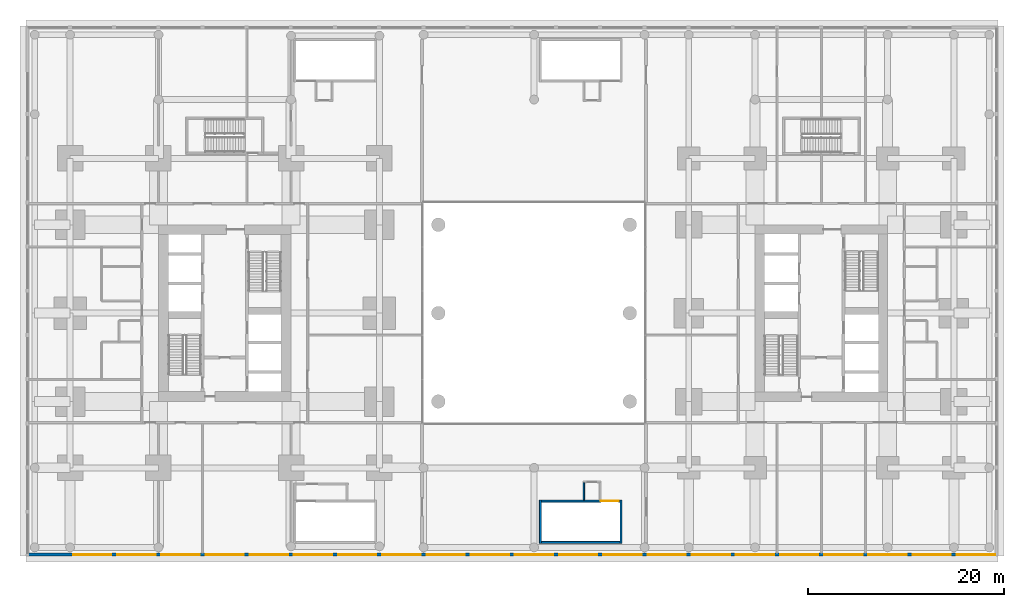
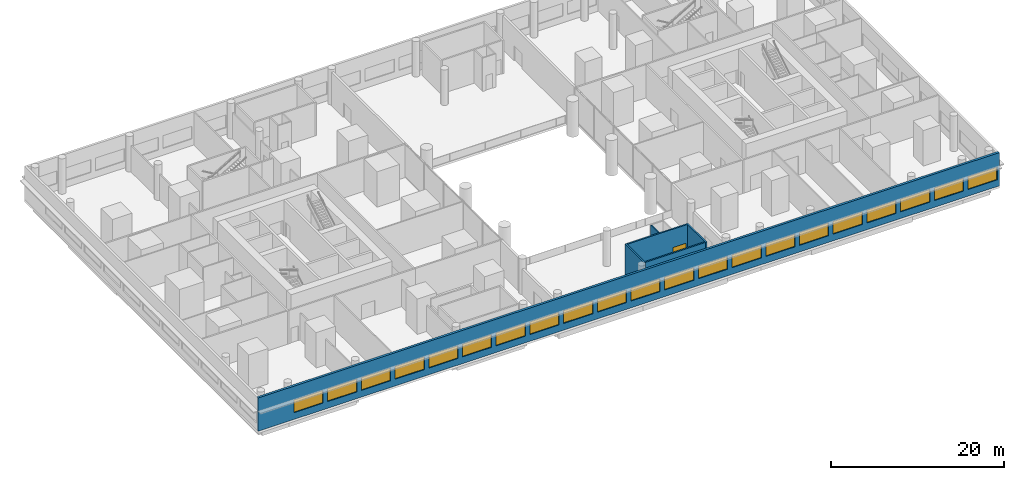
# One storey, part 11 of 20: 21 windows, 6 walls, 1 door, 22 openings.
"""IFC4 building model written with IfcOpenShell, lengths in metres."""

from ifc_helpers import new_model, si_unit, direction, frame, frame_2d, origin, place, context, subcontext, project, spatial, rectangle, extrude, material, layer, layer_set, type_object, element, fill, save


model = new_model("IFC4")

# Units and contexts
model_context = context("Model", 3, precision=1e-05, world=origin(), true_north=direction((0.0, 1.0)))
body_context = subcontext(model_context, "Body", "Model", "MODEL_VIEW")
ifc_project = project(units=[si_unit("LENGTHUNIT", "METRE"), si_unit("AREAUNIT", "SQUARE_METRE"), si_unit("VOLUMEUNIT", "CUBIC_METRE"), si_unit("PLANEANGLEUNIT", "RADIAN"), si_unit("MASSUNIT", "GRAM", prefix="KILO")], contexts=[model_context])

# Site, building, storey
site_placement = place(None, origin())
site = spatial("IfcSite", under=ifc_project, at=site_placement, CompositionType="ELEMENT")
building_placement = place(site_placement, origin())
building = spatial("IfcBuilding", under=site, at=building_placement, Name="Namib Vertical Campus", CompositionType="ELEMENT")
storey_placement = place(building_placement, frame((0.0, 0.0, 16.0)))
storey = spatial("IfcBuildingStorey", under=building, at=storey_placement, Name="L03", CompositionType="ELEMENT", Elevation=16.0)

# Wall, openings, windows
ifc_material_1 = material(Name="Concrete C40/50", Category="concrete")
ifc_layer_1 = layer(ifc_material_1, 0.300048828125)
ifc_layer_set_1 = layer_set([ifc_layer_1], Name="Concrete C40/50")
wall_type_1 = type_object("IfcWallType", Name="External wall 300 board-marked concrete", PredefinedType="STANDARD", material=ifc_layer_set_1)
wall_1_placement = place(storey_placement, frame((0.02001953125, -4.35009765625, 0.0), z_axis=(0.0, 0.0, 1.0), x_axis=(1.0, 0.0, 0.0)))
wall_1 = element("IfcWall", 1, at=wall_1_placement, inside=storey, type_object=wall_type_1, Name="External wall L03 F1", PredefinedType="STANDARD", context=body_context, shape_type="SweptSolid", body=[
    extrude(rectangle(XDim=98.9599609375, YDim=0.300048828125, at=frame_2d((49.47998046875, 0.0))), origin(), (0.0, 0.0, 1.0), 4.699951171875),
])
opening_1_placement = place(wall_1_placement, frame((4.780029296875, 0.0, 0.949951171875)))
opening_1 = element("IfcOpeningElement", 2, at=opening_1_placement, cuts=wall_1, Name="Opening W3", PredefinedType="OPENING", context=body_context, shape_type="SweptSolid", body=[
    extrude(rectangle(XDim=3.89990234375, YDim=1.800048828125, at=frame_2d((1.949951171875, 0.89990234375))), frame((0.0, 0.159912109375, 0.0), z_axis=(0.0, -1.0, 0.0), x_axis=(1.0, 0.0, 0.0)), (0.0, 0.0, 1.0), 0.320068359375),
])
opening_2_placement = place(wall_1_placement, frame((9.280029296875, 0.0, 0.949951171875)))
opening_2 = element("IfcOpeningElement", 3, at=opening_2_placement, cuts=wall_1, Name="Opening W3", PredefinedType="OPENING", context=body_context, shape_type="SweptSolid", body=[
    extrude(rectangle(XDim=3.89990234375, YDim=1.800048828125, at=frame_2d((1.949951171875, 0.89990234375))), frame((0.0, 0.159912109375, 0.0), z_axis=(0.0, -1.0, 0.0), x_axis=(1.0, 0.0, 0.0)), (0.0, 0.0, 1.0), 0.320068359375),
])
opening_3_placement = place(wall_1_placement, frame((13.780029296875, 0.0, 0.949951171875)))
opening_3 = element("IfcOpeningElement", 4, at=opening_3_placement, cuts=wall_1, Name="Opening W3", PredefinedType="OPENING", context=body_context, shape_type="SweptSolid", body=[
    extrude(rectangle(XDim=3.89990234375, YDim=1.800048828125, at=frame_2d((1.949951171875, 0.89990234375))), frame((0.0, 0.159912109375, 0.0), z_axis=(0.0, -1.0, 0.0), x_axis=(1.0, 0.0, 0.0)), (0.0, 0.0, 1.0), 0.320068359375),
])
opening_4_placement = place(wall_1_placement, frame((18.280029296875, 0.0, 0.949951171875)))
opening_4 = element("IfcOpeningElement", 5, at=opening_4_placement, cuts=wall_1, Name="Opening W3", PredefinedType="OPENING", context=body_context, shape_type="SweptSolid", body=[
    extrude(rectangle(XDim=3.89990234375, YDim=1.800048828125, at=frame_2d((1.949951171875, 0.89990234375))), frame((0.0, 0.159912109375, 0.0), z_axis=(0.0, -1.0, 0.0), x_axis=(1.0, 0.0, 0.0)), (0.0, 0.0, 1.0), 0.320068359375),
])
opening_5_placement = place(wall_1_placement, frame((22.780029296875, 0.0, 0.949951171875)))
opening_5 = element("IfcOpeningElement", 6, at=opening_5_placement, cuts=wall_1, Name="Opening W3", PredefinedType="OPENING", context=body_context, shape_type="SweptSolid", body=[
    extrude(rectangle(XDim=3.89990234375, YDim=1.800048828125, at=frame_2d((1.949951171875, 0.89990234375))), frame((0.0, 0.159912109375, 0.0), z_axis=(0.0, -1.0, 0.0), x_axis=(1.0, 0.0, 0.0)), (0.0, 0.0, 1.0), 0.320068359375),
])
opening_6_placement = place(wall_1_placement, frame((27.280029296875, 0.0, 0.949951171875)))
opening_6 = element("IfcOpeningElement", 7, at=opening_6_placement, cuts=wall_1, Name="Opening W3", PredefinedType="OPENING", context=body_context, shape_type="SweptSolid", body=[
    extrude(rectangle(XDim=3.89990234375, YDim=1.800048828125, at=frame_2d((1.949951171875, 0.89990234375))), frame((0.0, 0.159912109375, 0.0), z_axis=(0.0, -1.0, 0.0), x_axis=(1.0, 0.0, 0.0)), (0.0, 0.0, 1.0), 0.320068359375),
])
opening_7_placement = place(wall_1_placement, frame((31.780029296875, 0.0, 0.949951171875)))
opening_7 = element("IfcOpeningElement", 8, at=opening_7_placement, cuts=wall_1, Name="Opening W3", PredefinedType="OPENING", context=body_context, shape_type="SweptSolid", body=[
    extrude(rectangle(XDim=3.89990234375, YDim=1.800048828125, at=frame_2d((1.949951171875, 0.89990234375))), frame((0.0, 0.159912109375, 0.0), z_axis=(0.0, -1.0, 0.0), x_axis=(1.0, 0.0, 0.0)), (0.0, 0.0, 1.0), 0.320068359375),
])
opening_8_placement = place(wall_1_placement, frame((36.280029296875, 0.0, 0.949951171875)))
opening_8 = element("IfcOpeningElement", 9, at=opening_8_placement, cuts=wall_1, Name="Opening W3", PredefinedType="OPENING", context=body_context, shape_type="SweptSolid", body=[
    extrude(rectangle(XDim=3.89990234375, YDim=1.800048828125, at=frame_2d((1.949951171875, 0.89990234375))), frame((0.0, 0.159912109375, 0.0), z_axis=(0.0, -1.0, 0.0), x_axis=(1.0, 0.0, 0.0)), (0.0, 0.0, 1.0), 0.320068359375),
])
opening_9_placement = place(wall_1_placement, frame((40.780029296875, 0.0, 0.949951171875)))
opening_9 = element("IfcOpeningElement", 10, at=opening_9_placement, cuts=wall_1, Name="Opening W3", PredefinedType="OPENING", context=body_context, shape_type="SweptSolid", body=[
    extrude(rectangle(XDim=3.89990234375, YDim=1.800048828125, at=frame_2d((1.949951171875, 0.89990234375))), frame((0.0, 0.159912109375, 0.0), z_axis=(0.0, -1.0, 0.0), x_axis=(1.0, 0.0, 0.0)), (0.0, 0.0, 1.0), 0.320068359375),
])
opening_10_placement = place(wall_1_placement, frame((45.280029296875, 0.0, 0.949951171875)))
opening_10 = element("IfcOpeningElement", 11, at=opening_10_placement, cuts=wall_1, Name="Opening W3", PredefinedType="OPENING", context=body_context, shape_type="SweptSolid", body=[
    extrude(rectangle(XDim=3.89990234375, YDim=1.800048828125, at=frame_2d((1.949951171875, 0.89990234375))), frame((0.0, 0.159912109375, 0.0), z_axis=(0.0, -1.0, 0.0), x_axis=(1.0, 0.0, 0.0)), (0.0, 0.0, 1.0), 0.320068359375),
])
opening_11_placement = place(wall_1_placement, frame((49.780029296875, 0.0, 0.949951171875)))
opening_11 = element("IfcOpeningElement", 12, at=opening_11_placement, cuts=wall_1, Name="Opening W3", PredefinedType="OPENING", context=body_context, shape_type="SweptSolid", body=[
    extrude(rectangle(XDim=3.89990234375, YDim=1.800048828125, at=frame_2d((1.949951171875, 0.89990234375))), frame((0.0, 0.159912109375, 0.0), z_axis=(0.0, -1.0, 0.0), x_axis=(1.0, 0.0, 0.0)), (0.0, 0.0, 1.0), 0.320068359375),
])
opening_12_placement = place(wall_1_placement, frame((54.280029296875, 0.0, 0.949951171875)))
opening_12 = element("IfcOpeningElement", 13, at=opening_12_placement, cuts=wall_1, Name="Opening W3", PredefinedType="OPENING", context=body_context, shape_type="SweptSolid", body=[
    extrude(rectangle(XDim=3.89990234375, YDim=1.800048828125, at=frame_2d((1.949951171875, 0.89990234375))), frame((0.0, 0.159912109375, 0.0), z_axis=(0.0, -1.0, 0.0), x_axis=(1.0, 0.0, 0.0)), (0.0, 0.0, 1.0), 0.320068359375),
])
opening_13_placement = place(wall_1_placement, frame((58.780029296875, 0.0, 0.949951171875)))
opening_13 = element("IfcOpeningElement", 14, at=opening_13_placement, cuts=wall_1, Name="Opening W3", PredefinedType="OPENING", context=body_context, shape_type="SweptSolid", body=[
    extrude(rectangle(XDim=3.89990234375, YDim=1.800048828125, at=frame_2d((1.949951171875, 0.89990234375))), frame((0.0, 0.159912109375, 0.0), z_axis=(0.0, -1.0, 0.0), x_axis=(1.0, 0.0, 0.0)), (0.0, 0.0, 1.0), 0.320068359375),
])
opening_14_placement = place(wall_1_placement, frame((63.280029296875, 0.0, 0.949951171875)))
opening_14 = element("IfcOpeningElement", 15, at=opening_14_placement, cuts=wall_1, Name="Opening W3", PredefinedType="OPENING", context=body_context, shape_type="SweptSolid", body=[
    extrude(rectangle(XDim=3.89990234375, YDim=1.800048828125, at=frame_2d((1.949951171875, 0.89990234375))), frame((0.0, 0.159912109375, 0.0), z_axis=(0.0, -1.0, 0.0), x_axis=(1.0, 0.0, 0.0)), (0.0, 0.0, 1.0), 0.320068359375),
])
opening_15_placement = place(wall_1_placement, frame((67.780029296875, 0.0, 0.949951171875)))
opening_15 = element("IfcOpeningElement", 16, at=opening_15_placement, cuts=wall_1, Name="Opening W3", PredefinedType="OPENING", context=body_context, shape_type="SweptSolid", body=[
    extrude(rectangle(XDim=3.89990234375, YDim=1.800048828125, at=frame_2d((1.949951171875, 0.89990234375))), frame((0.0, 0.159912109375, 0.0), z_axis=(0.0, -1.0, 0.0), x_axis=(1.0, 0.0, 0.0)), (0.0, 0.0, 1.0), 0.320068359375),
])
opening_16_placement = place(wall_1_placement, frame((72.280029296875, 0.0, 0.949951171875)))
opening_16 = element("IfcOpeningElement", 17, at=opening_16_placement, cuts=wall_1, Name="Opening W3", PredefinedType="OPENING", context=body_context, shape_type="SweptSolid", body=[
    extrude(rectangle(XDim=3.89990234375, YDim=1.800048828125, at=frame_2d((1.949951171875, 0.89990234375))), frame((0.0, 0.159912109375, 0.0), z_axis=(0.0, -1.0, 0.0), x_axis=(1.0, 0.0, 0.0)), (0.0, 0.0, 1.0), 0.320068359375),
])
opening_17_placement = place(wall_1_placement, frame((76.780029296875, 0.0, 0.949951171875)))
opening_17 = element("IfcOpeningElement", 18, at=opening_17_placement, cuts=wall_1, Name="Opening W3", PredefinedType="OPENING", context=body_context, shape_type="SweptSolid", body=[
    extrude(rectangle(XDim=3.89990234375, YDim=1.800048828125, at=frame_2d((1.949951171875, 0.89990234375))), frame((0.0, 0.159912109375, 0.0), z_axis=(0.0, -1.0, 0.0), x_axis=(1.0, 0.0, 0.0)), (0.0, 0.0, 1.0), 0.320068359375),
])
opening_18_placement = place(wall_1_placement, frame((81.280029296875, 0.0, 0.949951171875)))
opening_18 = element("IfcOpeningElement", 19, at=opening_18_placement, cuts=wall_1, Name="Opening W3", PredefinedType="OPENING", context=body_context, shape_type="SweptSolid", body=[
    extrude(rectangle(XDim=3.89990234375, YDim=1.800048828125, at=frame_2d((1.949951171875, 0.89990234375))), frame((0.0, 0.159912109375, 0.0), z_axis=(0.0, -1.0, 0.0), x_axis=(1.0, 0.0, 0.0)), (0.0, 0.0, 1.0), 0.320068359375),
])
opening_19_placement = place(wall_1_placement, frame((85.780029296875, 0.0, 0.949951171875)))
opening_19 = element("IfcOpeningElement", 20, at=opening_19_placement, cuts=wall_1, Name="Opening W3", PredefinedType="OPENING", context=body_context, shape_type="SweptSolid", body=[
    extrude(rectangle(XDim=3.89990234375, YDim=1.800048828125, at=frame_2d((1.949951171875, 0.89990234375))), frame((0.0, 0.159912109375, 0.0), z_axis=(0.0, -1.0, 0.0), x_axis=(1.0, 0.0, 0.0)), (0.0, 0.0, 1.0), 0.320068359375),
])
opening_20_placement = place(wall_1_placement, frame((90.280029296875, 0.0, 0.949951171875)))
opening_20 = element("IfcOpeningElement", 21, at=opening_20_placement, cuts=wall_1, Name="Opening W3", PredefinedType="OPENING", context=body_context, shape_type="SweptSolid", body=[
    extrude(rectangle(XDim=3.89990234375, YDim=1.800048828125, at=frame_2d((1.949951171875, 0.89990234375))), frame((0.0, 0.159912109375, 0.0), z_axis=(0.0, -1.0, 0.0), x_axis=(1.0, 0.0, 0.0)), (0.0, 0.0, 1.0), 0.320068359375),
])
opening_21_placement = place(wall_1_placement, frame((94.780029296875, 0.0, 0.949951171875)))
opening_21 = element("IfcOpeningElement", 22, at=opening_21_placement, cuts=wall_1, Name="Opening W3", PredefinedType="OPENING", context=body_context, shape_type="SweptSolid", body=[
    extrude(rectangle(XDim=3.89990234375, YDim=1.800048828125, at=frame_2d((1.949951171875, 0.89990234375))), frame((0.0, 0.159912109375, 0.0), z_axis=(0.0, -1.0, 0.0), x_axis=(1.0, 0.0, 0.0)), (0.0, 0.0, 1.0), 0.320068359375),
])
ifc_material_2 = material(Name="Dark tinted glass in black aluminium frame", Category="aluminium")
window_type = type_object("IfcWindowType", Name="Ribbon window 3900x1800", PartitioningType="SINGLE_PANEL", PredefinedType="WINDOW", material=ifc_material_2)
window_1_placement = place(opening_1_placement, origin())
window_1 = element("IfcWindow", 23, at=window_1_placement, inside=storey, type_object=window_type, Name="Window W3 L03 F1-2", OverallHeight=1.800048828125, OverallWidth=3.89990234375, PartitioningType="SINGLE_PANEL", PredefinedType="WINDOW", context=body_context, shape_type="SweptSolid", body=[
    extrude(rectangle(XDim=3.89990234375, YDim=1.800048828125, at=frame_2d((1.949951171875, 0.89990234375))), frame((0.0, 0.030029296875, 0.0), z_axis=(0.0, -1.0, 0.0), x_axis=(1.0, 0.0, 0.0)), (0.0, 0.0, 1.0), 0.06005859375),
])
fill(opening_1, window_1)
window_2_placement = place(opening_2_placement, origin())
window_2 = element("IfcWindow", 24, at=window_2_placement, inside=storey, type_object=window_type, Name="Window W3 L03 F1-3", OverallHeight=1.800048828125, OverallWidth=3.89990234375, PartitioningType="SINGLE_PANEL", PredefinedType="WINDOW", context=body_context, shape_type="SweptSolid", body=[
    extrude(rectangle(XDim=3.89990234375, YDim=1.800048828125, at=frame_2d((1.949951171875, 0.89990234375))), frame((0.0, 0.030029296875, 0.0), z_axis=(0.0, -1.0, 0.0), x_axis=(1.0, 0.0, 0.0)), (0.0, 0.0, 1.0), 0.06005859375),
])
fill(opening_2, window_2)
window_3_placement = place(opening_3_placement, origin())
window_3 = element("IfcWindow", 25, at=window_3_placement, inside=storey, type_object=window_type, Name="Window W3 L03 F1-4", OverallHeight=1.800048828125, OverallWidth=3.89990234375, PartitioningType="SINGLE_PANEL", PredefinedType="WINDOW", context=body_context, shape_type="SweptSolid", body=[
    extrude(rectangle(XDim=3.89990234375, YDim=1.800048828125, at=frame_2d((1.949951171875, 0.89990234375))), frame((0.0, 0.030029296875, 0.0), z_axis=(0.0, -1.0, 0.0), x_axis=(1.0, 0.0, 0.0)), (0.0, 0.0, 1.0), 0.06005859375),
])
fill(opening_3, window_3)
window_4_placement = place(opening_4_placement, origin())
window_4 = element("IfcWindow", 26, at=window_4_placement, inside=storey, type_object=window_type, Name="Window W3 L03 F1-5", OverallHeight=1.800048828125, OverallWidth=3.89990234375, PartitioningType="SINGLE_PANEL", PredefinedType="WINDOW", context=body_context, shape_type="SweptSolid", body=[
    extrude(rectangle(XDim=3.89990234375, YDim=1.800048828125, at=frame_2d((1.949951171875, 0.89990234375))), frame((0.0, 0.030029296875, 0.0), z_axis=(0.0, -1.0, 0.0), x_axis=(1.0, 0.0, 0.0)), (0.0, 0.0, 1.0), 0.06005859375),
])
fill(opening_4, window_4)
window_5_placement = place(opening_5_placement, origin())
window_5 = element("IfcWindow", 27, at=window_5_placement, inside=storey, type_object=window_type, Name="Window W3 L03 F1-6", OverallHeight=1.800048828125, OverallWidth=3.89990234375, PartitioningType="SINGLE_PANEL", PredefinedType="WINDOW", context=body_context, shape_type="SweptSolid", body=[
    extrude(rectangle(XDim=3.89990234375, YDim=1.800048828125, at=frame_2d((1.949951171875, 0.89990234375))), frame((0.0, 0.030029296875, 0.0), z_axis=(0.0, -1.0, 0.0), x_axis=(1.0, 0.0, 0.0)), (0.0, 0.0, 1.0), 0.06005859375),
])
fill(opening_5, window_5)
window_6_placement = place(opening_6_placement, origin())
window_6 = element("IfcWindow", 28, at=window_6_placement, inside=storey, type_object=window_type, Name="Window W3 L03 F1-7", OverallHeight=1.800048828125, OverallWidth=3.89990234375, PartitioningType="SINGLE_PANEL", PredefinedType="WINDOW", context=body_context, shape_type="SweptSolid", body=[
    extrude(rectangle(XDim=3.89990234375, YDim=1.800048828125, at=frame_2d((1.949951171875, 0.89990234375))), frame((0.0, 0.030029296875, 0.0), z_axis=(0.0, -1.0, 0.0), x_axis=(1.0, 0.0, 0.0)), (0.0, 0.0, 1.0), 0.06005859375),
])
fill(opening_6, window_6)
window_7_placement = place(opening_7_placement, origin())
window_7 = element("IfcWindow", 29, at=window_7_placement, inside=storey, type_object=window_type, Name="Window W3 L03 F1-8", OverallHeight=1.800048828125, OverallWidth=3.89990234375, PartitioningType="SINGLE_PANEL", PredefinedType="WINDOW", context=body_context, shape_type="SweptSolid", body=[
    extrude(rectangle(XDim=3.89990234375, YDim=1.800048828125, at=frame_2d((1.949951171875, 0.89990234375))), frame((0.0, 0.030029296875, 0.0), z_axis=(0.0, -1.0, 0.0), x_axis=(1.0, 0.0, 0.0)), (0.0, 0.0, 1.0), 0.06005859375),
])
fill(opening_7, window_7)
window_8_placement = place(opening_8_placement, origin())
window_8 = element("IfcWindow", 30, at=window_8_placement, inside=storey, type_object=window_type, Name="Window W3 L03 F1-9", OverallHeight=1.800048828125, OverallWidth=3.89990234375, PartitioningType="SINGLE_PANEL", PredefinedType="WINDOW", context=body_context, shape_type="SweptSolid", body=[
    extrude(rectangle(XDim=3.89990234375, YDim=1.800048828125, at=frame_2d((1.949951171875, 0.89990234375))), frame((0.0, 0.030029296875, 0.0), z_axis=(0.0, -1.0, 0.0), x_axis=(1.0, 0.0, 0.0)), (0.0, 0.0, 1.0), 0.06005859375),
])
fill(opening_8, window_8)
window_9_placement = place(opening_9_placement, origin())
window_9 = element("IfcWindow", 31, at=window_9_placement, inside=storey, type_object=window_type, Name="Window W3 L03 F1-10", OverallHeight=1.800048828125, OverallWidth=3.89990234375, PartitioningType="SINGLE_PANEL", PredefinedType="WINDOW", context=body_context, shape_type="SweptSolid", body=[
    extrude(rectangle(XDim=3.89990234375, YDim=1.800048828125, at=frame_2d((1.949951171875, 0.89990234375))), frame((0.0, 0.030029296875, 0.0), z_axis=(0.0, -1.0, 0.0), x_axis=(1.0, 0.0, 0.0)), (0.0, 0.0, 1.0), 0.06005859375),
])
fill(opening_9, window_9)
window_10_placement = place(opening_10_placement, origin())
window_10 = element("IfcWindow", 32, at=window_10_placement, inside=storey, type_object=window_type, Name="Window W3 L03 F1-11", OverallHeight=1.800048828125, OverallWidth=3.89990234375, PartitioningType="SINGLE_PANEL", PredefinedType="WINDOW", context=body_context, shape_type="SweptSolid", body=[
    extrude(rectangle(XDim=3.89990234375, YDim=1.800048828125, at=frame_2d((1.949951171875, 0.89990234375))), frame((0.0, 0.030029296875, 0.0), z_axis=(0.0, -1.0, 0.0), x_axis=(1.0, 0.0, 0.0)), (0.0, 0.0, 1.0), 0.06005859375),
])
fill(opening_10, window_10)
window_11_placement = place(opening_11_placement, origin())
window_11 = element("IfcWindow", 33, at=window_11_placement, inside=storey, type_object=window_type, Name="Window W3 L03 F1-12", OverallHeight=1.800048828125, OverallWidth=3.89990234375, PartitioningType="SINGLE_PANEL", PredefinedType="WINDOW", context=body_context, shape_type="SweptSolid", body=[
    extrude(rectangle(XDim=3.89990234375, YDim=1.800048828125, at=frame_2d((1.949951171875, 0.89990234375))), frame((0.0, 0.030029296875, 0.0), z_axis=(0.0, -1.0, 0.0), x_axis=(1.0, 0.0, 0.0)), (0.0, 0.0, 1.0), 0.06005859375),
])
fill(opening_11, window_11)
window_12_placement = place(opening_12_placement, origin())
window_12 = element("IfcWindow", 34, at=window_12_placement, inside=storey, type_object=window_type, Name="Window W3 L03 F1-13", OverallHeight=1.800048828125, OverallWidth=3.89990234375, PartitioningType="SINGLE_PANEL", PredefinedType="WINDOW", context=body_context, shape_type="SweptSolid", body=[
    extrude(rectangle(XDim=3.89990234375, YDim=1.800048828125, at=frame_2d((1.949951171875, 0.89990234375))), frame((0.0, 0.030029296875, 0.0), z_axis=(0.0, -1.0, 0.0), x_axis=(1.0, 0.0, 0.0)), (0.0, 0.0, 1.0), 0.06005859375),
])
fill(opening_12, window_12)
window_13_placement = place(opening_13_placement, origin())
window_13 = element("IfcWindow", 35, at=window_13_placement, inside=storey, type_object=window_type, Name="Window W3 L03 F1-14", OverallHeight=1.800048828125, OverallWidth=3.89990234375, PartitioningType="SINGLE_PANEL", PredefinedType="WINDOW", context=body_context, shape_type="SweptSolid", body=[
    extrude(rectangle(XDim=3.89990234375, YDim=1.800048828125, at=frame_2d((1.949951171875, 0.89990234375))), frame((0.0, 0.030029296875, 0.0), z_axis=(0.0, -1.0, 0.0), x_axis=(1.0, 0.0, 0.0)), (0.0, 0.0, 1.0), 0.06005859375),
])
fill(opening_13, window_13)
window_14_placement = place(opening_14_placement, origin())
window_14 = element("IfcWindow", 36, at=window_14_placement, inside=storey, type_object=window_type, Name="Window W3 L03 F1-15", OverallHeight=1.800048828125, OverallWidth=3.89990234375, PartitioningType="SINGLE_PANEL", PredefinedType="WINDOW", context=body_context, shape_type="SweptSolid", body=[
    extrude(rectangle(XDim=3.89990234375, YDim=1.800048828125, at=frame_2d((1.949951171875, 0.89990234375))), frame((0.0, 0.030029296875, 0.0), z_axis=(0.0, -1.0, 0.0), x_axis=(1.0, 0.0, 0.0)), (0.0, 0.0, 1.0), 0.06005859375),
])
fill(opening_14, window_14)
window_15_placement = place(opening_15_placement, origin())
window_15 = element("IfcWindow", 37, at=window_15_placement, inside=storey, type_object=window_type, Name="Window W3 L03 F1-16", OverallHeight=1.800048828125, OverallWidth=3.89990234375, PartitioningType="SINGLE_PANEL", PredefinedType="WINDOW", context=body_context, shape_type="SweptSolid", body=[
    extrude(rectangle(XDim=3.89990234375, YDim=1.800048828125, at=frame_2d((1.949951171875, 0.89990234375))), frame((0.0, 0.030029296875, 0.0), z_axis=(0.0, -1.0, 0.0), x_axis=(1.0, 0.0, 0.0)), (0.0, 0.0, 1.0), 0.06005859375),
])
fill(opening_15, window_15)
window_16_placement = place(opening_16_placement, origin())
window_16 = element("IfcWindow", 38, at=window_16_placement, inside=storey, type_object=window_type, Name="Window W3 L03 F1-17", OverallHeight=1.800048828125, OverallWidth=3.89990234375, PartitioningType="SINGLE_PANEL", PredefinedType="WINDOW", context=body_context, shape_type="SweptSolid", body=[
    extrude(rectangle(XDim=3.89990234375, YDim=1.800048828125, at=frame_2d((1.949951171875, 0.89990234375))), frame((0.0, 0.030029296875, 0.0), z_axis=(0.0, -1.0, 0.0), x_axis=(1.0, 0.0, 0.0)), (0.0, 0.0, 1.0), 0.06005859375),
])
fill(opening_16, window_16)
window_17_placement = place(opening_17_placement, origin())
window_17 = element("IfcWindow", 39, at=window_17_placement, inside=storey, type_object=window_type, Name="Window W3 L03 F1-18", OverallHeight=1.800048828125, OverallWidth=3.89990234375, PartitioningType="SINGLE_PANEL", PredefinedType="WINDOW", context=body_context, shape_type="SweptSolid", body=[
    extrude(rectangle(XDim=3.89990234375, YDim=1.800048828125, at=frame_2d((1.949951171875, 0.89990234375))), frame((0.0, 0.030029296875, 0.0), z_axis=(0.0, -1.0, 0.0), x_axis=(1.0, 0.0, 0.0)), (0.0, 0.0, 1.0), 0.06005859375),
])
fill(opening_17, window_17)
window_18_placement = place(opening_18_placement, origin())
window_18 = element("IfcWindow", 40, at=window_18_placement, inside=storey, type_object=window_type, Name="Window W3 L03 F1-19", OverallHeight=1.800048828125, OverallWidth=3.89990234375, PartitioningType="SINGLE_PANEL", PredefinedType="WINDOW", context=body_context, shape_type="SweptSolid", body=[
    extrude(rectangle(XDim=3.89990234375, YDim=1.800048828125, at=frame_2d((1.949951171875, 0.89990234375))), frame((0.0, 0.030029296875, 0.0), z_axis=(0.0, -1.0, 0.0), x_axis=(1.0, 0.0, 0.0)), (0.0, 0.0, 1.0), 0.06005859375),
])
fill(opening_18, window_18)
window_19_placement = place(opening_19_placement, origin())
window_19 = element("IfcWindow", 41, at=window_19_placement, inside=storey, type_object=window_type, Name="Window W3 L03 F1-20", OverallHeight=1.800048828125, OverallWidth=3.89990234375, PartitioningType="SINGLE_PANEL", PredefinedType="WINDOW", context=body_context, shape_type="SweptSolid", body=[
    extrude(rectangle(XDim=3.89990234375, YDim=1.800048828125, at=frame_2d((1.949951171875, 0.89990234375))), frame((0.0, 0.030029296875, 0.0), z_axis=(0.0, -1.0, 0.0), x_axis=(1.0, 0.0, 0.0)), (0.0, 0.0, 1.0), 0.06005859375),
])
fill(opening_19, window_19)
window_20_placement = place(opening_20_placement, origin())
window_20 = element("IfcWindow", 42, at=window_20_placement, inside=storey, type_object=window_type, Name="Window W3 L03 F1-21", OverallHeight=1.800048828125, OverallWidth=3.89990234375, PartitioningType="SINGLE_PANEL", PredefinedType="WINDOW", context=body_context, shape_type="SweptSolid", body=[
    extrude(rectangle(XDim=3.89990234375, YDim=1.800048828125, at=frame_2d((1.949951171875, 0.89990234375))), frame((0.0, 0.030029296875, 0.0), z_axis=(0.0, -1.0, 0.0), x_axis=(1.0, 0.0, 0.0)), (0.0, 0.0, 1.0), 0.06005859375),
])
fill(opening_20, window_20)
window_21_placement = place(opening_21_placement, origin())
window_21 = element("IfcWindow", 43, at=window_21_placement, inside=storey, type_object=window_type, Name="Window W3 L03 F1-22", OverallHeight=1.800048828125, OverallWidth=3.89990234375, PartitioningType="SINGLE_PANEL", PredefinedType="WINDOW", context=body_context, shape_type="SweptSolid", body=[
    extrude(rectangle(XDim=3.89990234375, YDim=1.800048828125, at=frame_2d((1.949951171875, 0.89990234375))), frame((0.0, 0.030029296875, 0.0), z_axis=(0.0, -1.0, 0.0), x_axis=(1.0, 0.0, 0.0)), (0.0, 0.0, 1.0), 0.06005859375),
])
fill(opening_21, window_21)

# Wall
ifc_material_3 = material(Name="Gypsum board on steel studs", Category="steel")
ifc_layer_2 = layer(ifc_material_3, 0.14990234375)
ifc_layer_set_2 = layer_set([ifc_layer_2], Name="Gypsum board on steel studs")
wall_type_2 = type_object("IfcWallType", Name="Partition 150", PredefinedType="PARTITIONING", material=ifc_layer_set_2)
wall_2_placement = place(storey_placement, frame((56.824951171875, 1.199951171875, 0.0), z_axis=(0.0, 0.0, 1.0), x_axis=(0.0, 1.0, 0.0)))
element("IfcWall", 44, at=wall_2_placement, inside=storey, type_object=wall_type_2, Name="Refuge cell partition P-S4 L03", PredefinedType="PARTITIONING", context=body_context, shape_type="SweptSolid", body=[
    extrude(rectangle(XDim=1.800048828125, YDim=0.14990234375, at=frame_2d((0.89990234375, 0.0))), origin(), (0.0, 0.0, 1.0), 4.699951171875),
])

# Wall, opening, door
ifc_material_4 = material(Name="Concrete C40/50", Category="concrete")
ifc_layer_3 = layer(ifc_material_4, 0.199951171875)
ifc_layer_set_3 = layer_set([ifc_layer_3], Name="Concrete C40/50")
wall_type_3 = type_object("IfcWallType", Name="Stair enclosure wall RC 200", PredefinedType="SOLIDWALL", material=ifc_layer_set_3)
wall_3_placement = place(storey_placement, frame((52.5, 1.10009765625, 0.0), z_axis=(0.0, 0.0, 1.0), x_axis=(1.0, 0.0, 0.0)))
wall_3 = element("IfcWall", 45, at=wall_3_placement, inside=storey, type_object=wall_type_3, Name="Stair enclosure wall P-S4 L03 room side", PredefinedType="SOLIDWALL", context=body_context, shape_type="SweptSolid", body=[
    extrude(rectangle(XDim=8.0, YDim=0.199951171875, at=frame_2d((4.0, 0.0))), origin(), (0.0, 0.0, 1.0), 4.699951171875),
])
opening_22_placement = place(wall_3_placement, frame((6.050048828125, 0.0, 0.0)))
opening_22 = element("IfcOpeningElement", 46, at=opening_22_placement, cuts=wall_3, Name="Opening FD2", PredefinedType="OPENING", context=body_context, shape_type="SweptSolid", body=[
    extrude(rectangle(XDim=1.800048828125, YDim=2.10009765625, at=frame_2d((0.89990234375, 1.050048828125))), frame((0.0, 0.10986328125, 0.0), z_axis=(0.0, -1.0, 0.0), x_axis=(1.0, 0.0, 0.0)), (0.0, 0.0, 1.0), 0.219970703125),
])
ifc_material_5 = material(Name="Steel fire door", Category="steel")
door_type = type_object("IfcDoorType", Name="Fire door double 1800x2100", OperationType="DOUBLE_DOOR_SINGLE_SWING", PredefinedType="DOOR", material=ifc_material_5)
door_placement = place(opening_22_placement, frame((1.800048828125, 0.0, 0.0), z_axis=(0.0, 0.0, 1.0), x_axis=(-1.0, 0.0, 0.0)))
door = element("IfcDoor", 47, at=door_placement, inside=storey, type_object=door_type, Name="Stair door FD2 P-S4 L03", OperationType="DOUBLE_DOOR_SINGLE_SWING", OverallHeight=2.10009765625, OverallWidth=1.800048828125, PredefinedType="DOOR", context=body_context, shape_type="SweptSolid", body=[
    extrude(rectangle(XDim=1.800048828125, YDim=2.10009765625, at=frame_2d((0.89990234375, 1.050048828125))), frame((0.0, 0.02490234375, 0.0), z_axis=(0.0, -1.0, 0.0), x_axis=(1.0, 0.0, 0.0)), (0.0, 0.0, 1.0), 0.050048828125),
])
fill(opening_22, door)

# Walls
wall_4_placement = place(storey_placement, frame((52.5, -3.10009765625, 0.0), z_axis=(0.0, 0.0, 1.0), x_axis=(1.0, 0.0, 0.0)))
element("IfcWall", 48, at=wall_4_placement, inside=storey, type_object=wall_type_3, Name="Stair enclosure wall P-S4 L03 facade side", PredefinedType="SOLIDWALL", context=body_context, shape_type="SweptSolid", body=[
    extrude(rectangle(XDim=8.0, YDim=0.199951171875, at=frame_2d((4.0, 0.0))), origin(), (0.0, 0.0, 1.0), 4.699951171875),
])
for number, where, z_axis, x_axis, name in (
    (49, (52.39990234375, -3.199951171875, 0.0), (0.0, 0.0, 1.0), (0.0, 1.0, 0.0), "Stair enclosure wall P-S4 L03 W"),
    (50, (60.60009765625, -3.199951171875, 0.0), (0.0, 0.0, 1.0), (0.0, 1.0, 0.0), "Stair enclosure wall P-S4 L03 E"),
):
    element("IfcWall", number, at=place(storey_placement, frame(where, z_axis=z_axis, x_axis=x_axis)), inside=storey, type_object=wall_type_3, Name=name, PredefinedType="SOLIDWALL", context=body_context, shape_type="SweptSolid", body=[
        extrude(rectangle(XDim=4.39990234375, YDim=0.199951171875, at=frame_2d((2.199951171875, 0.0))), origin(), (0.0, 0.0, 1.0), 4.699951171875),
    ])

save(model, "model.ifc")
